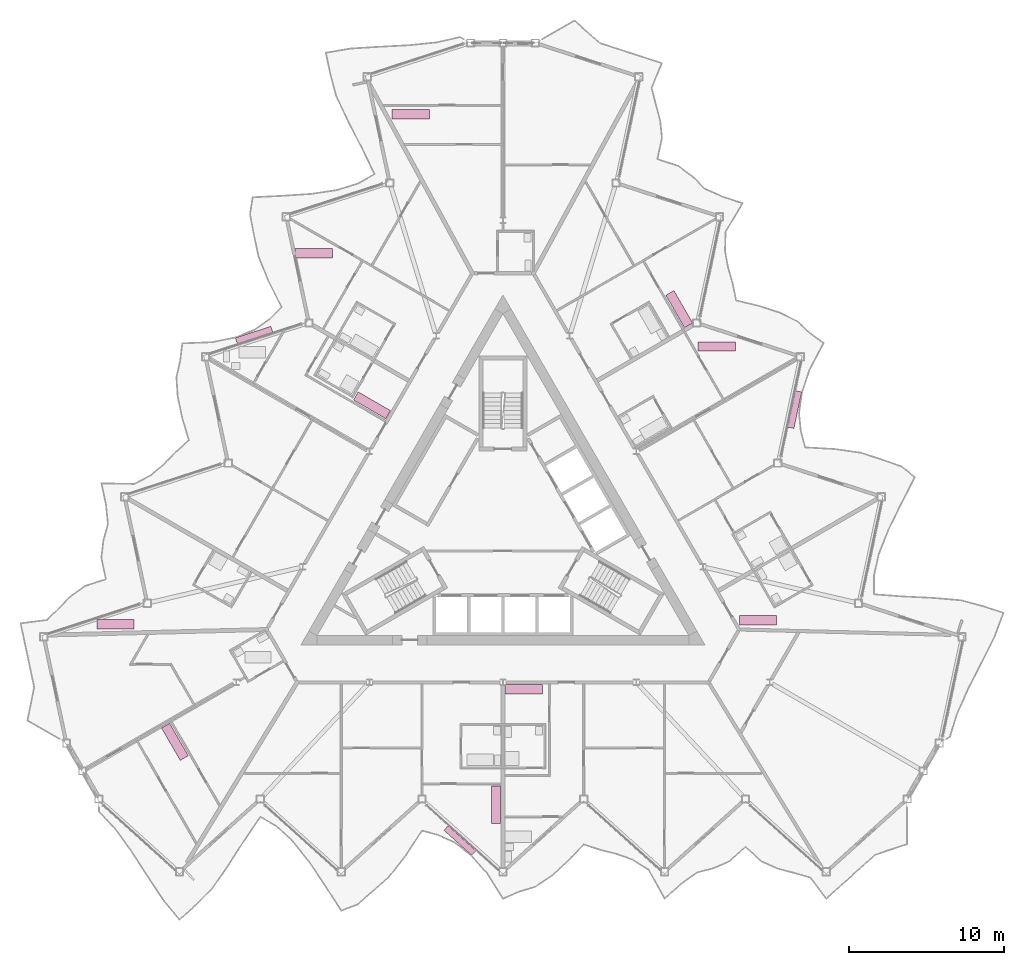
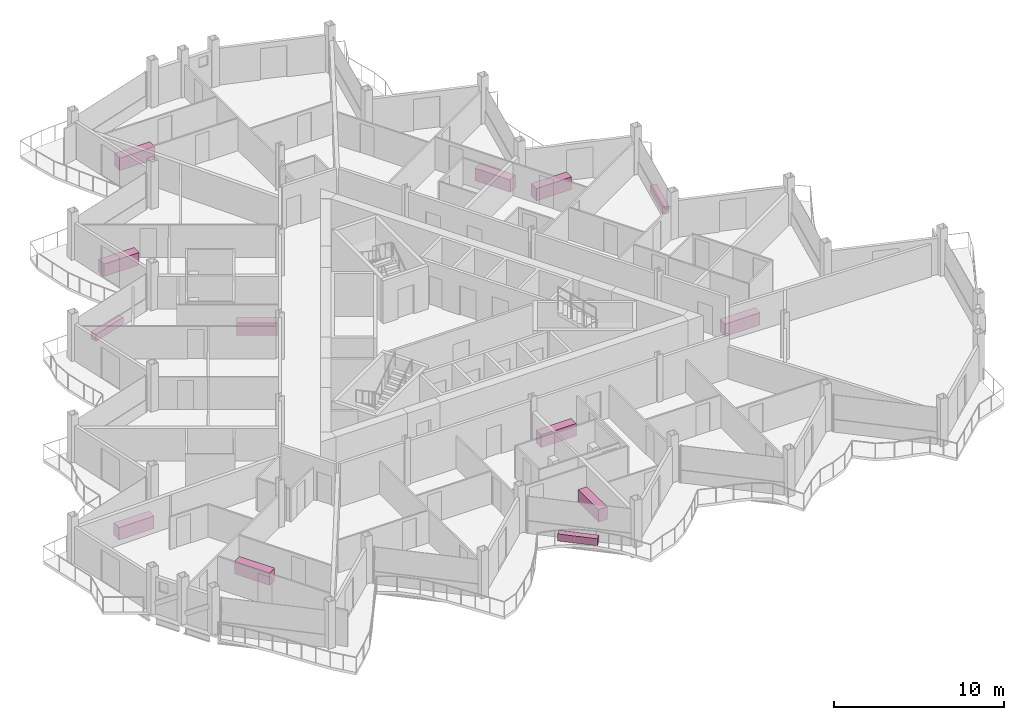
# One storey, part 26 of 26: 13 furniture elements.
"""IFC4 building model written with IfcOpenShell, lengths in metres."""

from ifc_helpers import new_model, si_unit, direction, frame, origin, origin_2d, place, context, subcontext, project, spatial, rectangle, extrude, material, type_object, element, save


model = new_model("IFC4")

# Units and contexts
model_context = context("Model", 3, precision=1e-05, world=origin(), true_north=direction((0.0, 1.0)))
body_context = subcontext(model_context, "Body", "Model", "MODEL_VIEW")
ifc_project = project(units=[si_unit("LENGTHUNIT", "METRE"), si_unit("AREAUNIT", "SQUARE_METRE"), si_unit("VOLUMEUNIT", "CUBIC_METRE"), si_unit("PLANEANGLEUNIT", "RADIAN"), si_unit("MASSUNIT", "GRAM", prefix="KILO")], contexts=[model_context])

# Site, building, storey
site_placement = place(None, origin())
site = spatial("IfcSite", under=ifc_project, at=site_placement, CompositionType="ELEMENT")
building_placement = place(site_placement, origin())
building = spatial("IfcBuilding", under=site, at=building_placement, Name="Cormorant Prow Tower", CompositionType="ELEMENT")
storey_placement = place(building_placement, frame((0.0, 0.0, 398.39990234375)))
storey = spatial("IfcBuildingStorey", under=building, at=storey_placement, Name="L91", CompositionType="ELEMENT", Elevation=398.39990234375)

# Furniture
ifc_material_1 = material(Name="Terracotta", Category="masonry")
furniture_type_1 = type_object("IfcFurnitureType", Name="Balcony planter 2400x400x500", AssemblyPlace="NOTDEFINED", PredefinedType="USERDEFINED", material=ifc_material_1)
for number, where, z_axis, x_axis, name in (
    (1, (-2.767333984375, -20.07568359375, 0.0), (0.0, 0.0, 1.0), (0.743144827638, -0.669130603959, 0.0), "Balcony planter S04"),
    (2, (18.769775390625, 7.641357421875, 0.0), (0.0, 0.0, 1.0), (0.207911649162, 0.978147609588, 0.0), "Balcony planter ENE04"),
    (3, (-16.00244140625, 12.434326171875, 0.0), (0.0, 0.0, 1.0), (-0.951056492904, -0.309017066365, 0.0), "Balcony planter WNW04"),
):
    element("IfcFurniture", number, at=place(storey_placement, frame(where, z_axis=z_axis, x_axis=x_axis)), inside=storey, type_object=furniture_type_1, Name=name, ObjectType="PLANTER", PredefinedType="USERDEFINED", context=body_context, shape_type="SweptSolid", body=[
        extrude(rectangle(XDim=2.39990234375, YDim=0.39990234375, at=origin_2d()), origin(), (0.0, 0.0, 1.0), 0.5),
    ])
ifc_material_2 = material(Name="Timber joinery", Category="wood")
furniture_type_2 = type_object("IfcFurnitureType", Name="Kitchen counter 2400x600", AssemblyPlace="NOTDEFINED", PredefinedType="NOTDEFINED", material=ifc_material_2)
for number, where, z_axis, x_axis, name in (
    (4, (-0.445068359375, -17.7734375, 0.000244140625), (0.0, 0.0, 1.0), (0.0, -1.0, 0.0), "Kitchen counter"),
    (5, (1.344970703125, -10.3505859375, 0.000244140625), (0.0, 0.0, 1.0), (1.0, 0.0, 0.0), "Kitchen counter"),
    (6, (16.408203125, -5.907958984375, 0.000244140625), (0.0, 0.0, 1.0), (1.0, 0.0, 0.0), "Kitchen counter"),
    (7, (13.757080078125, 11.694091796875, 0.000244140625), (0.0, 0.0, 1.0), (1.0, 0.0, 0.0), "Kitchen counter"),
    (8, (11.34033203125, 14.104736328125, 0.000244140625), (0.0, 0.0, 1.0), (-0.5, 0.866025403784, 0.0), "Kitchen counter"),
    (9, (-5.927490234375, 26.636962890625, 0.000244140625), (0.0, 0.0, 1.0), (1.0, 0.0, 0.0), "Kitchen counter"),
    (10, (-12.165283203125, 17.697265625, 0.000244140625), (0.0, 0.0, 1.0), (1.0, 0.0, 0.0), "Kitchen counter"),
    (11, (-8.4208984375, 7.916015625, 0.000244140625), (0.0, 0.0, 1.0), (-0.866025403784, 0.5, 0.0), "Kitchen counter"),
    (12, (-24.914794921875, -6.157958984375, 0.000244140625), (0.0, 0.0, 1.0), (1.0, 0.0, 0.0), "Kitchen counter"),
    (13, (-21.0966796875, -13.7333984375, 0.000244140625), (0.0, 0.0, 1.0), (0.5, -0.866025403784, 0.0), "Kitchen counter"),
):
    element("IfcFurniture", number, at=place(storey_placement, frame(where, z_axis=z_axis, x_axis=x_axis)), inside=storey, type_object=furniture_type_2, Name=name, PredefinedType="NOTDEFINED", context=body_context, shape_type="SweptSolid", body=[
        extrude(rectangle(XDim=2.39990234375, YDim=0.60009765625, at=origin_2d()), origin(), (0.0, 0.0, 1.0), 0.89990234375),
    ])

save(model, "model.ifc")
